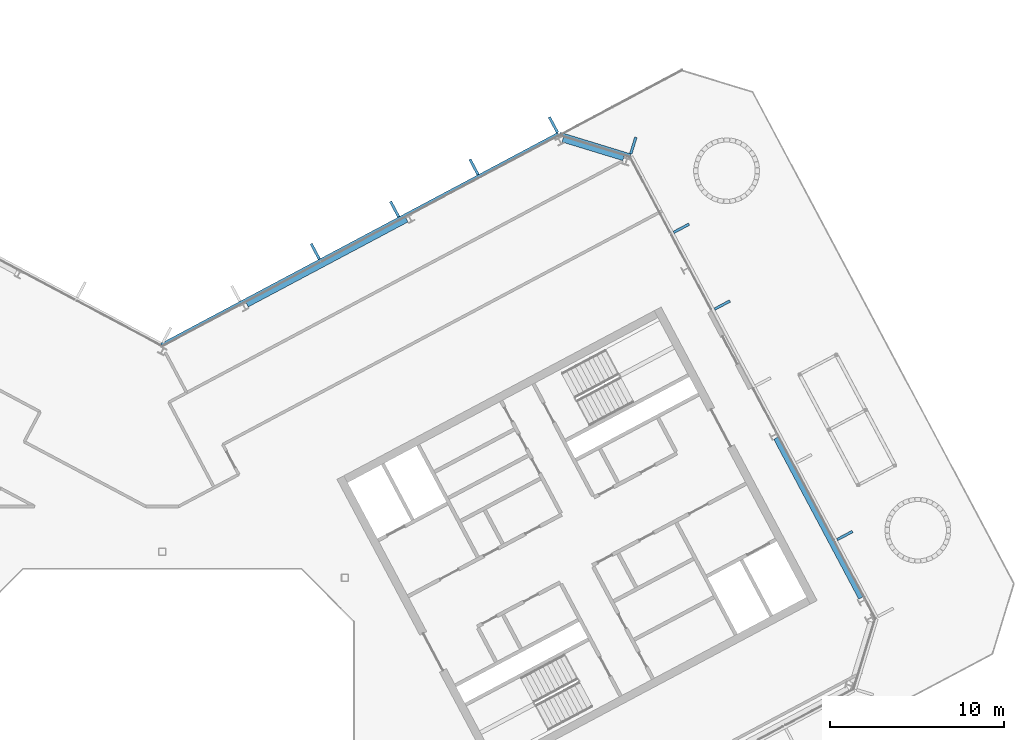
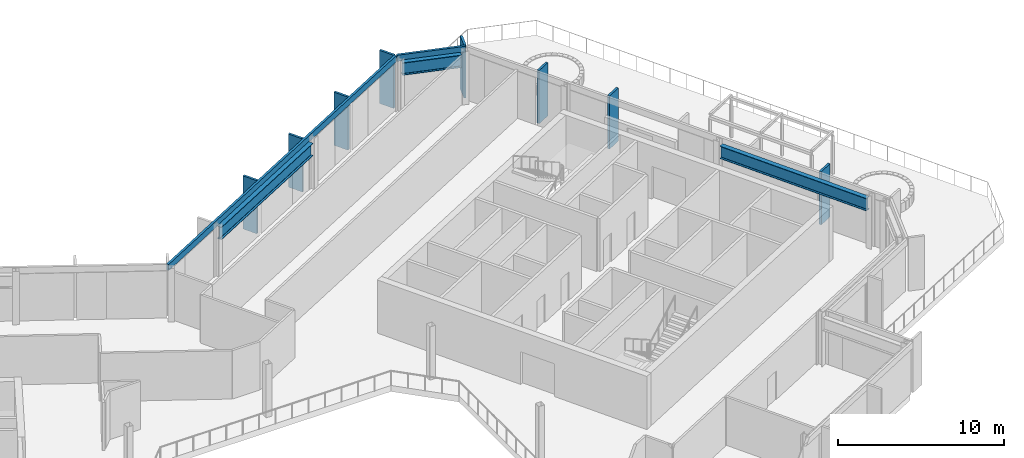
# One storey, part 10 of 30: 10 members, 3 beams, 3 elements without a shape of their own.
"""IFC4 building model written with IfcOpenShell, lengths in metres."""

from ifc_helpers import new_model, si_unit, direction, frame, origin, origin_2d, place, context, subcontext, project, spatial, rectangle, i_section, extrude, material, layer, layer_set, material_profile, profile_set, type_object, element, aggregate, save


model = new_model("IFC4")

# Units and contexts
model_context = context("Model", 3, precision=1e-05, world=origin(), true_north=direction((0.0, 1.0)))
body_context = subcontext(model_context, "Body", "Model", "MODEL_VIEW")
ifc_project = project(units=[si_unit("LENGTHUNIT", "METRE"), si_unit("AREAUNIT", "SQUARE_METRE"), si_unit("VOLUMEUNIT", "CUBIC_METRE"), si_unit("PLANEANGLEUNIT", "RADIAN"), si_unit("MASSUNIT", "GRAM", prefix="KILO")], contexts=[model_context])

# Site, building, storey
site_placement = place(None, origin())
site = spatial("IfcSite", under=ifc_project, at=site_placement, CompositionType="ELEMENT")
building_placement = place(site_placement, origin())
building = spatial("IfcBuilding", under=site, at=building_placement, Name="Cormorant Relay Tower", CompositionType="ELEMENT")
storey_placement = place(building_placement, frame((0.0, 0.0, 258.0)))
storey = spatial("IfcBuildingStorey", under=building, at=storey_placement, Name="L57", CompositionType="ELEMENT", Elevation=258.0)

# Curtain wall, members
ifc_material_1 = material(Name="Aluminium 6063-T6 anodised bronze", Category="aluminium")
ifc_layer = layer(ifc_material_1, 0.199951171875)
ifc_layer_set = layer_set([ifc_layer], Name="CW1 unitised bronze curtain wall with vertical fins")
curtain_wall_type = type_object("IfcCurtainWallType", Name="CW1 unitised bronze curtain wall with vertical fins", PredefinedType="NOTDEFINED", material=ifc_layer_set)
curtain_wall_1_placement = place(storey_placement, origin())
curtain_wall_1 = element("IfcCurtainWall", 1, at=curtain_wall_1_placement, inside=storey, type_object=curtain_wall_type, Name="CW1 curtain wall 6", PredefinedType="NOTDEFINED")
ifc_material_2 = material(Name="Aluminium 6063-T6 anodised bronze", Category="aluminium")
ifc_material_profile_1 = material_profile(ifc_material_2, rectangle(XDim=0.14990234375, YDim=1.0, at=origin_2d()), Name="AL 150x1000")
ifc_profile_set_1 = profile_set([ifc_material_profile_1], Name="Aluminium 6063-T6 anodised bronze")
member_type_1 = type_object("IfcMemberType", Name="CW1 bronze fin mullion 150 x 1000", PredefinedType="MULLION", material=ifc_profile_set_1)
member_1_placement = place(storey_placement, frame((39.222412109375, 12.927001953125, 0.0), z_axis=(0.0, 0.0, 1.0), x_axis=(-0.469471562786, 0.882947592859, 0.0)))
member_1 = element("IfcMember", 2, at=member_1_placement, type_object=member_type_1, Name="CW1 fin 6.2", PredefinedType="MULLION", context=body_context, shape_type="SweptSolid", body=[
    extrude(rectangle(XDim=0.14990234375, YDim=1.0, at=origin_2d()), origin(), (0.0, 0.0, 1.0), 3.89990234375),
])
member_2_placement = place(storey_placement, frame((32.18017578125, 26.171142578125, 0.0), z_axis=(0.0, 0.0, 1.0), x_axis=(-0.469471562786, 0.882947592859, 0.0)))
member_2 = element("IfcMember", 3, at=member_2_placement, type_object=member_type_1, Name="CW1 fin 6.5", PredefinedType="MULLION", context=body_context, shape_type="SweptSolid", body=[
    extrude(rectangle(XDim=0.14990234375, YDim=1.0, at=origin_2d()), origin(), (0.0, 0.0, 1.0), 3.89990234375),
])
member_3_placement = place(storey_placement, frame((29.832763671875, 30.585693359375, 0.0), z_axis=(0.0, 0.0, 1.0), x_axis=(-0.469471562786, 0.882947592859, 0.0)))
member_3 = element("IfcMember", 4, at=member_3_placement, type_object=member_type_1, Name="CW1 fin 6.6", PredefinedType="MULLION", context=body_context, shape_type="SweptSolid", body=[
    extrude(rectangle(XDim=0.14990234375, YDim=1.0, at=origin_2d()), origin(), (0.0, 0.0, 1.0), 3.89990234375),
])
aggregate(curtain_wall_1, [member_1, member_2, member_3])

# Curtain wall, member
curtain_wall_2_placement = place(storey_placement, origin())
curtain_wall_2 = element("IfcCurtainWall", 5, at=curtain_wall_2_placement, inside=storey, type_object=curtain_wall_type, Name="CW1 curtain wall 7", PredefinedType="NOTDEFINED")
member_4_placement = place(storey_placement, frame((27.072021484375, 35.34130859375, 0.0), z_axis=(0.0, 0.0, 1.0), x_axis=(-0.956304755963, 0.292371704723, 0.0)))
member_4 = element("IfcMember", 6, at=member_4_placement, type_object=member_type_1, Name="CW1 fin 7.1", PredefinedType="MULLION", context=body_context, shape_type="SweptSolid", body=[
    extrude(rectangle(XDim=0.14990234375, YDim=1.0, at=origin_2d()), origin(), (0.0, 0.0, 1.0), 3.89990234375),
])

# Curtain wall, members
curtain_wall_3_placement = place(storey_placement, origin())
curtain_wall_3 = element("IfcCurtainWall", 7, at=curtain_wall_3_placement, inside=storey, type_object=curtain_wall_type, Name="CW1 curtain wall 8", PredefinedType="NOTDEFINED")
member_5_placement = place(storey_placement, frame((22.4814453125, 36.530517578125, 0.0), z_axis=(0.0, 0.0, 1.0), x_axis=(-0.882947592859, -0.469471562786, 0.0)))
member_5 = element("IfcMember", 8, at=member_5_placement, type_object=member_type_1, Name="CW1 fin 8.1", PredefinedType="MULLION", context=body_context, shape_type="SweptSolid", body=[
    extrude(rectangle(XDim=0.14990234375, YDim=1.0, at=origin_2d()), origin(), (0.0, 0.0, 1.0), 3.89990234375),
])
member_6_placement = place(storey_placement, frame((17.91943359375, 34.104736328125, 0.0), z_axis=(0.0, 0.0, 1.0), x_axis=(-0.882947592859, -0.469471562786, 0.0)))
member_6 = element("IfcMember", 9, at=member_6_placement, type_object=member_type_1, Name="CW1 fin 8.2", PredefinedType="MULLION", context=body_context, shape_type="SweptSolid", body=[
    extrude(rectangle(XDim=0.14990234375, YDim=1.0, at=origin_2d()), origin(), (0.0, 0.0, 1.0), 3.89990234375),
])
member_7_placement = place(storey_placement, frame((13.357421875, 31.67919921875, 0.0), z_axis=(0.0, 0.0, 1.0), x_axis=(-0.882947592859, -0.469471562786, 0.0)))
member_7 = element("IfcMember", 10, at=member_7_placement, type_object=member_type_1, Name="CW1 fin 8.3", PredefinedType="MULLION", context=body_context, shape_type="SweptSolid", body=[
    extrude(rectangle(XDim=0.14990234375, YDim=1.0, at=origin_2d()), origin(), (0.0, 0.0, 1.0), 3.89990234375),
])
member_8_placement = place(storey_placement, frame((8.79541015625, 29.25341796875, 0.0), z_axis=(0.0, 0.0, 1.0), x_axis=(-0.882947592859, -0.469471562786, 0.0)))
member_8 = element("IfcMember", 11, at=member_8_placement, type_object=member_type_1, Name="CW1 fin 8.4", PredefinedType="MULLION", context=body_context, shape_type="SweptSolid", body=[
    extrude(rectangle(XDim=0.14990234375, YDim=1.0, at=origin_2d()), origin(), (0.0, 0.0, 1.0), 3.89990234375),
])

# Member
ifc_material_3 = material(Name="Aluminium 6063-T6 anodised bronze", Category="aluminium")
ifc_material_profile_2 = material_profile(ifc_material_3, rectangle(XDim=0.159912109375, YDim=0.449951171875, at=origin_2d()), Name="AL 160x450")
ifc_profile_set_2 = profile_set([ifc_material_profile_2], Name="Aluminium 6063-T6 anodised bronze")
member_type_2 = type_object("IfcMemberType", Name="CW1 bronze transom 160 x 450", PredefinedType="USERDEFINED", material=ifc_profile_set_2)
member_9_placement = place(storey_placement, frame((26.902587890625, 34.78662109375, 3.675048828125), z_axis=(-0.956303761594, 0.292374957137, 0.0), x_axis=(-0.292374957137, -0.956303761594, 0.0)))
member_9 = element("IfcMember", 12, at=member_9_placement, type_object=member_type_2, Name="CW1 transom 7", ObjectType="TRANSOM", PredefinedType="USERDEFINED", context=body_context, shape_type="SweptSolid", body=[
    extrude(rectangle(XDim=0.159912109375, YDim=0.449951171875, at=origin_2d()), origin(), (0.0, 0.0, 1.0), 4.24267578125),
])

aggregate(curtain_wall_2, [member_4, member_9])

member_10_placement = place(storey_placement, frame((22.75390625, 36.018310546875, 3.675048828125), z_axis=(-0.882948156597, -0.469470502547, 0.0), x_axis=(0.469470502547, -0.882948156597, 0.0)))
member_10 = element("IfcMember", 13, at=member_10_placement, type_object=member_type_2, Name="CW1 transom 8", ObjectType="TRANSOM", PredefinedType="USERDEFINED", context=body_context, shape_type="SweptSolid", body=[
    extrude(rectangle(XDim=0.159912109375, YDim=0.449951171875, at=origin_2d()), origin(), (0.0, 0.0, 1.0), 25.834228515625),
])

aggregate(curtain_wall_3, [member_5, member_6, member_7, member_8, member_10])

# Beams
ifc_material_4 = material(Name="Steel ASTM A992 (Fy 345 MPa)", Category="steel")
ifc_material_profile_3 = material_profile(ifc_material_4, i_section(OverallWidth=0.307373046875, OverallDepth=0.927001953125, WebThickness=0.019287109375, FlangeThickness=0.031982421875, FilletRadius=0.01904296875, at=origin_2d()), Name="W920x289")
ifc_profile_set_3 = profile_set([ifc_material_profile_3], Name="Steel ASTM A992 (Fy 345 MPa)")
beam_type = type_object("IfcBeamType", Name="Spandrel W920x289", PredefinedType="SPANDREL", material=ifc_profile_set_3)
beam_1_placement = place(storey_placement, frame((40.1591796875, 9.3466796875, 3.076416015625), z_axis=(-0.469474391681, 0.882946088703, 0.0), x_axis=(-0.882946088703, -0.469474391681, 0.0)))
element("IfcBeam", 14, at=beam_1_placement, inside=storey, type_object=beam_type, Name="Spandrel beam L57-006", PredefinedType="SPANDREL", context=body_context, shape_type="SweptSolid", body=[
    extrude(i_section(OverallWidth=0.307373046875, OverallDepth=0.927001953125, WebThickness=0.019287109375, FlangeThickness=0.031982421875, FilletRadius=0.01904296875, at=origin_2d()), origin(), (0.0, 0.0, 1.0), 10.401611328125),
])
beam_2_placement = place(storey_placement, frame((26.512451171875, 34.619873046875, 3.076416015625), z_axis=(-0.956313678807, 0.292342517821, 0.0), x_axis=(-0.292342517821, -0.956313678807, 0.0)))
element("IfcBeam", 15, at=beam_2_placement, inside=storey, type_object=beam_type, Name="Spandrel beam L57-007", PredefinedType="SPANDREL", context=body_context, shape_type="SweptSolid", body=[
    extrude(i_section(OverallWidth=0.307373046875, OverallDepth=0.927001953125, WebThickness=0.019287109375, FlangeThickness=0.031982421875, FilletRadius=0.01904296875, at=origin_2d()), origin(), (0.0, 0.0, 1.0), 3.65185546875),
])
beam_3_placement = place(storey_placement, frame((14.05322265625, 31.082275390625, 3.076416015625), z_axis=(-0.882950644937, -0.469465822617, 0.0), x_axis=(0.469465822617, -0.882950644937, 0.0)))
element("IfcBeam", 16, at=beam_3_placement, inside=storey, type_object=beam_type, Name="Spandrel beam L57-008", PredefinedType="SPANDREL", context=body_context, shape_type="SweptSolid", body=[
    extrude(i_section(OverallWidth=0.307373046875, OverallDepth=0.927001953125, WebThickness=0.019287109375, FlangeThickness=0.031982421875, FilletRadius=0.01904296875, at=origin_2d()), origin(), (0.0, 0.0, 1.0), 10.4013671875),
])

save(model, "model.ifc")
